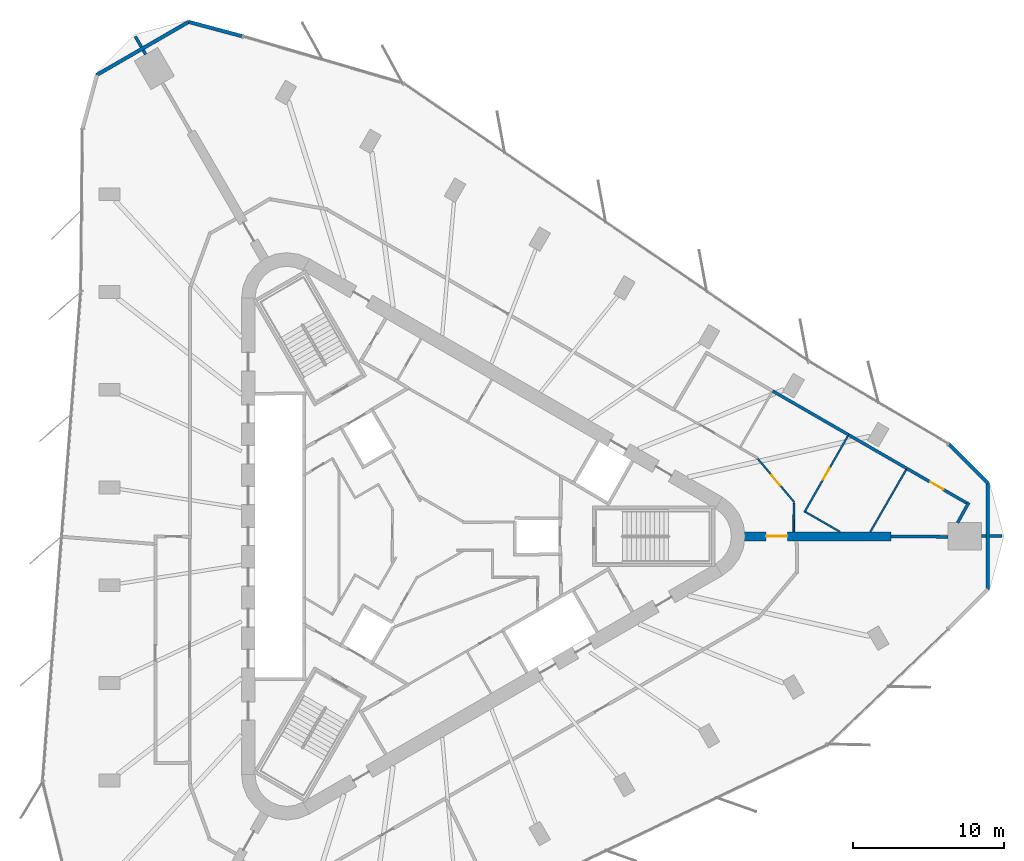
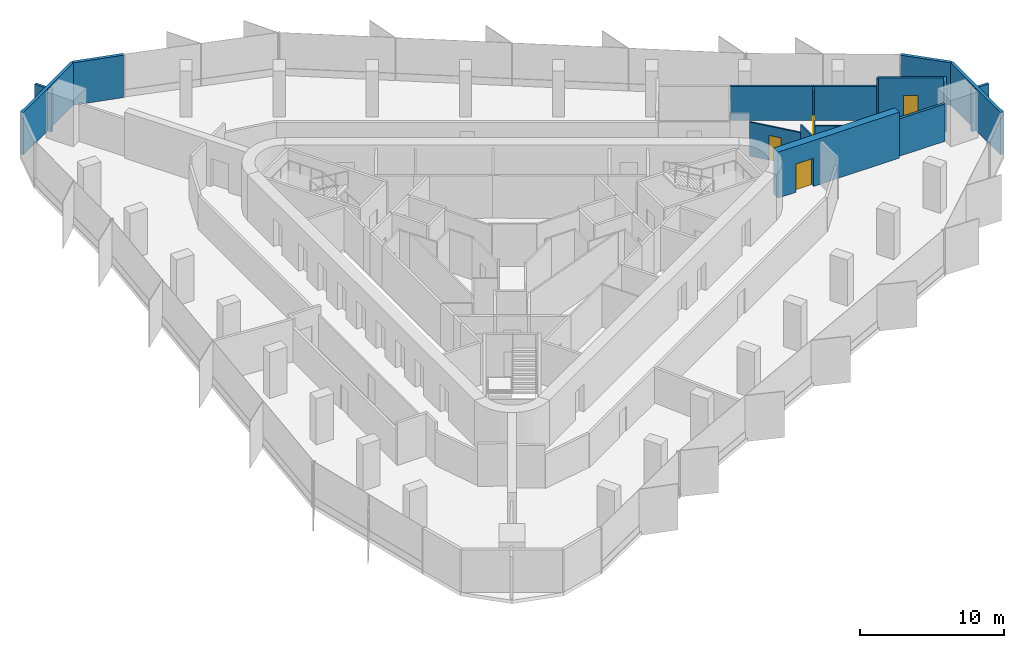
# One storey, part 12 of 14: 19 walls, 4 doors, 4 openings.
"""IFC4 building model written with IfcOpenShell, lengths in metres."""

import ifcopenshell
import ifcopenshell.guid

model = None  # the IFC model being written
_history = None  # IfcOwnerHistory: only IFC2X3 demands one
_inside = {}  # id of a spatial element -> (the spatial element, [elements in it])
_under = {}  # id of a project, library or spatial element -> (it, [spatial elements below it])
_declared = {}  # id of a project -> (the project, [libraries it declares])
_typed = {}  # id of a type object -> (the type object, [elements of that type])
_made_of = {}  # id of a material, layer set ... -> (it, [elements and type objects made of it])


def new_model(schema):
    """Start an empty IFC model of exactly this schema.

    Asked for "IFC4X3", IfcOpenShell would pick the latest addendum, in which some entities
    have other attributes; the version numbers below select the first issue.
    IFC2X3 requires an IfcOwnerHistory on every rooted entity: one is made here for all.
    """
    global model, _history
    if schema == "IFC4X3":
        model = ifcopenshell.file(schema_version=(4, 3, 0, 0))
    else:
        model = ifcopenshell.file(schema=schema)
    _inside.clear()
    _under.clear()
    _declared.clear()
    _typed.clear()
    _made_of.clear()
    _history = None
    if model.schema == "IFC2X3":
        org = make("IfcOrganization", Name="unknown")
        user = make(
            "IfcPersonAndOrganization",
            ThePerson=make("IfcPerson", FamilyName="unknown"),
            TheOrganization=org,
        )
        app = make(
            "IfcApplication",
            ApplicationDeveloper=org,
            Version="unknown",
            ApplicationFullName="unknown",
            ApplicationIdentifier="unknown",
        )
        _history = make(
            "IfcOwnerHistory",
            OwningUser=user,
            OwningApplication=app,
            ChangeAction="ADDED",
            CreationDate=0,
        )
    return model


def make(cls, **values):
    """One entity of the class cls with the attributes given. An attribute that is None is left unset."""
    return model.create_entity(
        cls, **{name: value for name, value in values.items() if value is not None}
    )


def rooted(cls, **values):
    """An entity with a GlobalId (a new one), such as an element, a storey or a relation."""
    return make(cls, GlobalId=ifcopenshell.guid.new(), OwnerHistory=_history, **values)


def si_unit(unit_type, name, prefix=None):
    """IfcSIUnit, for example si_unit("LENGTHUNIT", "METRE", prefix="MILLI")."""
    return make("IfcSIUnit", UnitType=unit_type, Prefix=prefix, Name=name)


def assignment(units):
    """IfcUnitAssignment: the units of a project."""
    return None if units is None else make("IfcUnitAssignment", Units=units)


def point(xyz):
    """IfcCartesianPoint."""
    return None if xyz is None else make("IfcCartesianPoint", Coordinates=xyz)


def direction(xyz):
    """IfcDirection."""
    return None if xyz is None else make("IfcDirection", DirectionRatios=xyz)


def frame(location, z_axis=None, x_axis=None):
    """IfcAxis2Placement3D, a coordinate frame: its origin and axes. An axis left out is left unset."""
    return make(
        "IfcAxis2Placement3D",
        Location=point(location),
        Axis=direction(z_axis),
        RefDirection=direction(x_axis),
    )


def frame_2d(location, x_axis=None):
    """IfcAxis2Placement2D, a coordinate frame in the plane: its origin and x axis."""
    return make(
        "IfcAxis2Placement2D", Location=point(location), RefDirection=direction(x_axis)
    )


def origin():
    """The frame at (0, 0, 0) with its axes left unset."""
    return frame((0.0, 0.0, 0.0))


def place(relative_to, where):
    """IfcLocalPlacement: puts the frame where relative to a parent placement (None: the world)."""
    return make(
        "IfcLocalPlacement", PlacementRelTo=relative_to, RelativePlacement=where
    )


def context(
    kind, dimensions, precision=None, world=None, true_north=None, identifier=None
):
    """IfcGeometricRepresentationContext, for example the 3D "Model" context."""
    return make(
        "IfcGeometricRepresentationContext",
        ContextIdentifier=identifier,
        ContextType=kind,
        CoordinateSpaceDimension=dimensions,
        Precision=precision,
        WorldCoordinateSystem=world,
        TrueNorth=true_north,
    )


def subcontext(parent, identifier, kind, view, scale=None):
    """IfcGeometricRepresentationSubContext, for example "Body" below "Model"."""
    return make(
        "IfcGeometricRepresentationSubContext",
        ContextIdentifier=identifier,
        ContextType=kind,
        ParentContext=parent,
        TargetScale=scale,
        TargetView=view,
    )


def project(units=None, contexts=None):
    """IfcProject with its units and contexts."""
    return rooted(
        "IfcProject",
        Name="project",
        RepresentationContexts=contexts,
        UnitsInContext=assignment(units),
    )


def spatial(cls, under=None, at=None, **own):
    """A site, building, storey or space (cls), placed at a placement, below another one or the project."""
    s = rooted(cls, ObjectPlacement=at, **own)
    if under is not None:
        _under.setdefault(under.id(), (under, []))[1].append(s)
    return s


def profile(cls, at=None, kind="AREA", **sizes):
    """A parametric profile (cls). Its sizes go by their IFC names, for example OverallWidth=200.0."""
    return make(cls, ProfileType=kind, Position=at, **sizes)


def rectangle(**sizes):
    """IfcRectangleProfileDef."""
    return profile("IfcRectangleProfileDef", **sizes)


def extrude(swept, where, along, depth):
    """IfcExtrudedAreaSolid: the profile swept, set in the frame where, extruded along a direction by depth."""
    return make(
        "IfcExtrudedAreaSolid",
        SweptArea=swept,
        Position=where,
        ExtrudedDirection=direction(along),
        Depth=depth,
    )


def shape(context_of_items, identifier, shape_type, items):
    """IfcShapeRepresentation: the items that make up one representation, for example the "Body"."""
    return make(
        "IfcShapeRepresentation",
        ContextOfItems=context_of_items,
        RepresentationIdentifier=identifier,
        RepresentationType=shape_type,
        Items=items,
    )


def material(Name=None, Category=None):
    """IfcMaterial."""
    return make("IfcMaterial", Name=Name, Category=Category)


def layer(
    of_material, thickness, ventilated=None, Name=None, Category=None, Priority=None
):
    """IfcMaterialLayer: one layer of a wall or slab, of a material (None: an air gap)."""
    return make(
        "IfcMaterialLayer",
        Material=of_material,
        LayerThickness=thickness,
        IsVentilated=ventilated,
        Name=Name,
        Category=Category,
        Priority=Priority,
    )


def layer_set(layers, Name=None):
    """IfcMaterialLayerSet."""
    return make("IfcMaterialLayerSet", MaterialLayers=layers, LayerSetName=Name)


def made_of(thing, what):
    """Note that an element or type object is made of a material, layer set ...; save() writes the relation."""
    if what is not None:
        _made_of.setdefault(what.id(), (what, []))[1].append(thing)
    return thing


def type_object(cls, material=None, **own):
    """A type object (cls), such as IfcWallType, which elements share."""
    return made_of(rooted(cls, **own), material)


def element(
    cls,
    number,
    at=None,
    inside=None,
    cuts=None,
    type_object=None,
    material=None,
    context=None,
    identifier="Body",
    shape_type=None,
    held_by="IfcProductDefinitionShape",
    body=None,
    shapes=None,
    **own,
):
    """One element of the class cls, such as IfcWall. Its Tag is "e" and its number.

    at: its placement. inside: the storey or other place that contains it. cuts: it is an
    opening in that element (IfcRelVoidsElement). A single representation is given by context,
    identifier, shape_type and body (its items); several are given by shapes. held_by: the class
    of the entity that holds the representations. save() writes the other relations.
    """
    e = rooted(cls, Tag="e%d" % number, ObjectPlacement=at, **own)
    if body is not None:
        shapes = [shape(context, identifier, shape_type, body)]
    if shapes is not None:
        e.Representation = make(held_by, Representations=shapes)
    if inside is not None:
        _inside.setdefault(inside.id(), (inside, []))[1].append(e)
    if cuts is not None:
        rooted(
            "IfcRelVoidsElement", RelatingBuildingElement=cuts, RelatedOpeningElement=e
        )
    if type_object is not None:
        _typed.setdefault(type_object.id(), (type_object, []))[1].append(e)
    return made_of(e, material)


def fill(opening, filler):
    """IfcRelFillsElement: the door or window that sits in an opening."""
    return rooted(
        "IfcRelFillsElement",
        RelatingOpeningElement=opening,
        RelatedBuildingElement=filler,
    )


def aggregate(whole, parts):
    """IfcRelAggregates: a whole, such as a stair, and the parts it consists of."""
    return rooted("IfcRelAggregates", RelatingObject=whole, RelatedObjects=parts)


def save(model, path):
    """Write the relations noted so far, then the file.

    IfcRelAggregates (storeys below a building ...), IfcRelContainedInSpatialStructure (elements
    in a storey), IfcRelDefinesByType, IfcRelAssociatesMaterial and IfcRelDeclares: one each for
    every whole, place, type object, material and project.
    """
    for whole, parts in _under.values():
        aggregate(whole, parts)
    for where, things in _inside.values():
        rooted(
            "IfcRelContainedInSpatialStructure",
            RelatedElements=things,
            RelatingStructure=where,
        )
    for kind, things in _typed.values():
        rooted("IfcRelDefinesByType", RelatedObjects=things, RelatingType=kind)
    for what, things in _made_of.values():
        rooted("IfcRelAssociatesMaterial", RelatedObjects=things, RelatingMaterial=what)
    for by, libraries in _declared.values():
        rooted("IfcRelDeclares", RelatingContext=by, RelatedDefinitions=libraries)
    model.write(path)


model = new_model("IFC4")

# Units and contexts
model_context = context("Model", 3, precision=1e-05, world=origin(), true_north=direction((0.0, 1.0)))
body_context = subcontext(model_context, "Body", "Model", "MODEL_VIEW")
ifc_project = project(units=[si_unit("LENGTHUNIT", "METRE"), si_unit("AREAUNIT", "SQUARE_METRE"), si_unit("VOLUMEUNIT", "CUBIC_METRE"), si_unit("PLANEANGLEUNIT", "RADIAN"), si_unit("MASSUNIT", "GRAM", prefix="KILO")], contexts=[model_context])

# Site, building, storey
site_placement = place(None, origin())
site = spatial("IfcSite", under=ifc_project, at=site_placement, CompositionType="ELEMENT")
building_placement = place(site_placement, origin())
building = spatial("IfcBuilding", under=site, at=building_placement, Name="Tanit Gate Tower", CompositionType="ELEMENT")
storey_placement = place(building_placement, frame((0.0, 0.0, 302.60009765625)))
storey = spatial("IfcBuildingStorey", under=building, at=storey_placement, Name="L67", CompositionType="ELEMENT", Elevation=302.60009765625)

# Wall, opening, door
ifc_material_1 = material(Name="Concrete C40/50", Category="concrete")
ifc_layer_1 = layer(ifc_material_1, 0.60009765625)
ifc_layer_set_1 = layer_set([ifc_layer_1], Name="BUTTRESS FIN 600 C40/50")
wall_type_1 = type_object("IfcWallType", Name="BUTTRESS FIN 600 C40/50", PredefinedType="SHEAR", material=ifc_layer_set_1)
wall_1_placement = place(storey_placement, frame((21.14990234375, 0.0, 0.0), z_axis=(0.0, 0.0, 1.0), x_axis=(1.0, 0.0, 0.0)))
wall_1 = element("IfcWall", 1, at=wall_1_placement, inside=storey, type_object=wall_type_1, Name="BUTTRESS FIN", PredefinedType="SHEAR", context=body_context, shape_type="SweptSolid", body=[
    extrude(rectangle(XDim=9.72021484375, YDim=0.60009765625, at=frame_2d((4.860107421875, 0.0))), origin(), (0.0, 0.0, 1.0), 3.89990234375),
])
opening_1_placement = place(wall_1_placement, frame((1.449951171875, 0.0, 0.0)))
opening_1 = element("IfcOpeningElement", 2, at=opening_1_placement, cuts=wall_1, Name="Opening P14-S18-F-E-1", PredefinedType="OPENING", context=body_context, shape_type="SweptSolid", body=[
    extrude(rectangle(XDim=1.39990234375, YDim=2.39990234375, at=frame_2d((0.699951171875, 1.199951171875))), frame((0.0, 0.31005859375, 0.0), z_axis=(0.0, -1.0, 0.0), x_axis=(1.0, 0.0, 0.0)), (0.0, 0.0, 1.0), 0.6201171875),
])
ifc_material_2 = material(Name="Timber door leaf", Category="wood")
door_type_1 = type_object("IfcDoorType", Name="INT-DOOR-FIN-PAIR-1400", OperationType="NOTDEFINED", PredefinedType="NOTDEFINED", material=ifc_material_2)
door_1_placement = place(opening_1_placement, origin())
door_1 = element("IfcDoor", 3, at=door_1_placement, inside=storey, type_object=door_type_1, Name="Door P14-S18-F-E-1", OperationType="DOUBLE_DOOR_SINGLE_SWING", OverallHeight=2.39990234375, OverallWidth=1.39990234375, PredefinedType="NOTDEFINED", context=body_context, shape_type="SweptSolid", body=[
    extrude(rectangle(XDim=1.39990234375, YDim=2.39990234375, at=frame_2d((0.699951171875, 1.199951171875))), frame((0.0, 0.02490234375, 0.0), z_axis=(0.0, -1.0, 0.0), x_axis=(1.0, 0.0, 0.0)), (0.0, 0.0, 1.0), 0.050048828125),
])
fill(opening_1, door_1)

# Walls
ifc_material_3 = material(Name="Concrete C30/37 with bronze anodised aluminium cladding", Category="concrete")
ifc_layer_2 = layer(ifc_material_3, 0.239990234375)
ifc_layer_set_2 = layer_set([ifc_layer_2], Name="Facade wall bronze clad 240")
wall_type_2 = type_object("IfcWallType", Name="Facade wall bronze clad 240", PredefinedType="SOLIDWALL", material=ifc_layer_set_2)
wall_2_placement = place(storey_placement, frame((-12.057373046875, 33.079833984375, 0.0), z_axis=(0.0, 0.0, 1.0), x_axis=(-0.965923355737, 0.258828265153, 0.0)))
element("IfcWall", 4, at=wall_2_placement, inside=storey, type_object=wall_type_2, Name="Bronze-clad facade wall L67 NW.arc1", PredefinedType="SOLIDWALL", context=body_context, shape_type="SweptSolid", body=[
    extrude(rectangle(XDim=3.66259765625, YDim=0.239990234375, at=frame_2d((1.831298828125, 0.0))), origin(), (0.0, 0.0, 1.0), 3.599853515625),
])
for number, where, z_axis, x_axis, name in (
    (5, (-15.59521484375, 34.02783203125, 0.0), (0.0, 0.0, 1.0), (-0.866026812589, -0.499997559872, 0.0), "Bronze-clad facade wall L67 NW.arc2"),
    (6, (37.2666015625, -3.508056640625, 0.0), (0.0, 0.0, 1.0), (0.0, 1.0, 0.0), "Bronze-clad facade wall L67 E.arc2"),
):
    element("IfcWall", number, at=place(storey_placement, frame(where, z_axis=z_axis, x_axis=x_axis)), inside=storey, type_object=wall_type_2, Name=name, PredefinedType="SOLIDWALL", context=body_context, shape_type="SweptSolid", body=[
        extrude(rectangle(XDim=7.01611328125, YDim=0.239990234375, at=frame_2d((3.508056640625, 0.0))), origin(), (0.0, 0.0, 1.0), 3.599853515625),
    ])
wall_3_placement = place(storey_placement, frame((37.2666015625, 3.508056640625, 0.0), z_axis=(0.0, 0.0, 1.0), x_axis=(-0.707106781187, 0.707106781187, 0.0)))
element("IfcWall", 7, at=wall_3_placement, inside=storey, type_object=wall_type_2, Name="Bronze-clad facade wall L67 E.arc3", PredefinedType="SOLIDWALL", context=body_context, shape_type="SweptSolid", body=[
    extrude(rectangle(XDim=3.648681640625, YDim=0.239990234375, at=frame_2d((1.82421875, 0.0))), origin(), (0.0, 0.0, 1.0), 3.599853515625),
])
ifc_material_4 = material(Name="Fire-rated gypsum board partition")
ifc_layer_3 = layer(ifc_material_4, 0.199951171875)
ifc_layer_set_3 = layer_set([ifc_layer_3], Name="INT-WALL-COMPARTMENT")
wall_type_3 = type_object("IfcWallType", Name="INT-WALL-COMPARTMENT", PredefinedType="PARTITIONING", material=ifc_layer_set_3)
wall_4_placement = place(storey_placement, frame((-19.125244140625, 33.06591796875, 0.0), z_axis=(0.0, 0.0, 1.0), x_axis=(0.500052144805, -0.865995295874, 0.0)))
element("IfcWall", 8, at=wall_4_placement, inside=storey, type_object=wall_type_3, Name="Wall Compartment W115", PredefinedType="PARTITIONING", context=body_context, shape_type="SweptSolid", body=[
    extrude(rectangle(XDim=0.81201171875, YDim=0.199951171875, at=frame_2d((0.406005859375, 0.0))), origin(), (0.0, 0.0, 1.0), 3.599853515625),
])
for number, where, z_axis, x_axis, name in (
    (9, (-18.599365234375, 32.15478515625, 0.0), (0.0, 0.0, 1.0), (0.500213193091, -0.865902281703, 0.0), "Wall Compartment W115x1"),
    (10, (36.830810546875, 0.030029296875, 0.0), (0.0, 0.0, 1.0), (1.0, 0.0, 0.0), "Wall Compartment W117"),
):
    element("IfcWall", number, at=place(storey_placement, frame(where, z_axis=z_axis, x_axis=x_axis)), inside=storey, type_object=wall_type_3, Name=name, PredefinedType="PARTITIONING", context=body_context, shape_type="SweptSolid", body=[
        extrude(rectangle(XDim=0.315673828125, YDim=0.199951171875, at=frame_2d((0.15771484375, 0.0))), origin(), (0.0, 0.0, 1.0), 3.599853515625),
    ])
wall_5_placement = place(storey_placement, frame((37.386474609375, 0.030029296875, 0.0), z_axis=(0.0, 0.0, 1.0), x_axis=(1.0, 0.0, 0.0)))
element("IfcWall", 11, at=wall_5_placement, inside=storey, type_object=wall_type_3, Name="Wall Compartment W117x1", PredefinedType="PARTITIONING", context=body_context, shape_type="SweptSolid", body=[
    extrude(rectangle(XDim=0.81201171875, YDim=0.199951171875, at=frame_2d((0.406005859375, 0.0))), origin(), (0.0, 0.0, 1.0), 3.599853515625),
])

# Wall, opening, door
wall_6_placement = place(storey_placement, frame((35.8662109375, 2.201904296875, 0.0), z_axis=(0.0, 0.0, 1.0), x_axis=(-0.866027379035, 0.49999657875, 0.0)))
wall_6 = element("IfcWall", 12, at=wall_6_placement, inside=storey, type_object=wall_type_3, Name="Wall Compartment W123", PredefinedType="PARTITIONING", context=body_context, shape_type="SweptSolid", body=[
    extrude(rectangle(XDim=4.57421875, YDim=0.199951171875, at=frame_2d((2.287109375, 0.0))), origin(), (0.0, 0.0, 1.0), 3.599853515625),
])
opening_2_placement = place(wall_6_placement, frame((1.787109375, 0.0, 0.0)))
opening_2 = element("IfcOpeningElement", 13, at=opening_2_placement, cuts=wall_6, Name="Opening F10-S18-25", PredefinedType="OPENING", context=body_context, shape_type="SweptSolid", body=[
    extrude(rectangle(XDim=1.0, YDim=2.10009765625, at=frame_2d((0.5, 1.050048828125))), frame((0.0, 0.10986328125, 0.0), z_axis=(0.0, -1.0, 0.0), x_axis=(1.0, 0.0, 0.0)), (0.0, 0.0, 1.0), 0.219970703125),
])
ifc_material_5 = material(Name="Fire-rated steel door leaf", Category="steel")
door_type_2 = type_object("IfcDoorType", Name="INT-DOOR-FIRE-1000", OperationType="NOTDEFINED", PredefinedType="USERDEFINED", material=ifc_material_5)
door_2_placement = place(opening_2_placement, origin())
door_2 = element("IfcDoor", 14, at=door_2_placement, inside=storey, type_object=door_type_2, Name="Door F10-S18-25", ObjectType="FIRE DOOR", OperationType="SINGLE_SWING_RIGHT", OverallHeight=2.10009765625, OverallWidth=1.0, PredefinedType="USERDEFINED", context=body_context, shape_type="SweptSolid", body=[
    extrude(rectangle(XDim=1.0, YDim=2.10009765625, at=frame_2d((0.5, 1.050048828125))), frame((0.0, 0.02490234375, 0.0), z_axis=(0.0, -1.0, 0.0), x_axis=(1.0, 0.0, 0.0)), (0.0, 0.0, 1.0), 0.050048828125),
])
fill(opening_2, door_2)

# Walls
wall_7_placement = place(storey_placement, frame((31.90478515625, 4.489013671875, 0.0), z_axis=(0.0, 0.0, 1.0), x_axis=(-0.866013897511, 0.50001992892, 0.0)))
element("IfcWall", 15, at=wall_7_placement, inside=storey, type_object=wall_type_3, Name="Wall Compartment W121", PredefinedType="PARTITIONING", context=body_context, shape_type="SweptSolid", body=[
    extrude(rectangle(XDim=4.451904296875, YDim=0.199951171875, at=frame_2d((2.22607421875, 0.0))), origin(), (0.0, 0.0, 1.0), 2.8798828125),
])
wall_8_placement = place(storey_placement, frame((28.04931640625, 6.715087890625, 0.0), z_axis=(0.0, 0.0, 1.0), x_axis=(-0.866036157057, 0.499981374323, 0.0)))
element("IfcWall", 16, at=wall_8_placement, inside=storey, type_object=wall_type_3, Name="Wall Compartment W120", PredefinedType="PARTITIONING", context=body_context, shape_type="SweptSolid", body=[
    extrude(rectangle(XDim=5.795166015625, YDim=0.199951171875, at=frame_2d((2.8974609375, 0.0))), origin(), (0.0, 0.0, 1.0), 2.8798828125),
])
wall_9_placement = place(storey_placement, frame((35.2646484375, 0.89990234375, 0.0), z_axis=(0.0, 0.0, 1.0), x_axis=(0.48169188717, 0.876340644861, 0.0)))
element("IfcWall", 17, at=wall_9_placement, inside=storey, type_object=wall_type_3, Name="Wall Compartment W122", PredefinedType="PARTITIONING", context=body_context, shape_type="SweptSolid", body=[
    extrude(rectangle(XDim=1.528564453125, YDim=0.199951171875, at=frame_2d((0.76416015625, 0.0))), origin(), (0.0, 0.0, 1.0), 3.599853515625),
])
wall_10_placement = place(storey_placement, frame((34.630615234375, -0.030029296875, 0.0), z_axis=(0.0, 0.0, 1.0), x_axis=(-0.999984049016, 0.005648160246, 0.0)))
element("IfcWall", 18, at=wall_10_placement, inside=storey, type_object=wall_type_3, Name="Wall Compartment W125", PredefinedType="PARTITIONING", context=body_context, shape_type="SweptSolid", body=[
    extrude(rectangle(XDim=3.760498046875, YDim=0.199951171875, at=frame_2d((1.88037109375, 0.0))), origin(), (0.0, 0.0, 1.0), 3.169921875),
])

# Wall, opening, door
ifc_material_6 = material(Name="Gypsum board partition")
ifc_layer_4 = layer(ifc_material_6, 0.1201171875)
ifc_layer_set_4 = layer_set([ifc_layer_4], Name="INT-WALL-PARTITION")
wall_type_4 = type_object("IfcWallType", Name="INT-WALL-PARTITION", PredefinedType="PARTITIONING", material=ifc_layer_set_4)
wall_11_placement = place(storey_placement, frame((24.46044921875, 2.25634765625, 0.0), z_axis=(0.0, 0.0, 1.0), x_axis=(-0.642780730877, 0.766050215073, 0.0)))
wall_11 = element("IfcWall", 19, at=wall_11_placement, inside=storey, type_object=wall_type_4, Name="Wall Partition W104", PredefinedType="PARTITIONING", context=body_context, shape_type="SweptSolid", body=[
    extrude(rectangle(XDim=3.786865234375, YDim=0.1201171875, at=frame_2d((1.8935546875, 0.0))), origin(), (0.0, 0.0, 1.0), 2.8798828125),
])
opening_3_placement = place(wall_11_placement, frame((1.45458984375, 0.0, 0.0)))
opening_3 = element("IfcOpeningElement", 20, at=opening_3_placement, cuts=wall_11, Name="Opening D09-S18-23", PredefinedType="OPENING", context=body_context, shape_type="SweptSolid", body=[
    extrude(rectangle(XDim=0.89990234375, YDim=2.10009765625, at=frame_2d((0.449951171875, 1.050048828125))), frame((0.0, 0.070068359375, 0.0), z_axis=(0.0, -1.0, 0.0), x_axis=(1.0, 0.0, 0.0)), (0.0, 0.0, 1.0), 0.14013671875),
])
ifc_material_7 = material(Name="Timber door leaf", Category="wood")
door_type_3 = type_object("IfcDoorType", Name="INT-DOOR-SINGLE-900", OperationType="NOTDEFINED", PredefinedType="NOTDEFINED", material=ifc_material_7)
door_3_placement = place(opening_3_placement, origin())
door_3 = element("IfcDoor", 21, at=door_3_placement, inside=storey, type_object=door_type_3, Name="Door D09-S18-23", OperationType="SINGLE_SWING_RIGHT", OverallHeight=2.10009765625, OverallWidth=0.89990234375, PredefinedType="NOTDEFINED", context=body_context, shape_type="SweptSolid", body=[
    extrude(rectangle(XDim=0.89990234375, YDim=2.10009765625, at=frame_2d((0.449951171875, 1.050048828125))), frame((0.0, 0.02490234375, 0.0), z_axis=(0.0, -1.0, 0.0), x_axis=(1.0, 0.0, 0.0)), (0.0, 0.0, 1.0), 0.050048828125),
])
fill(opening_3, door_3)

# Wall
wall_12_placement = place(storey_placement, frame((24.420166015625, 0.300048828125, 0.0), z_axis=(0.0, 0.0, 1.0), x_axis=(0.013233562751, 0.999912432574, 0.0)))
element("IfcWall", 22, at=wall_12_placement, inside=storey, type_object=wall_type_4, Name="Wall Partition W105", PredefinedType="PARTITIONING", context=body_context, shape_type="SweptSolid", body=[
    extrude(rectangle(XDim=1.8818359375, YDim=0.1201171875, at=frame_2d((0.94091796875, 0.0))), origin(), (0.0, 0.0, 1.0), 3.599853515625),
])

# Wall, opening, door
wall_13_placement = place(storey_placement, frame((25.12548828125, 1.59033203125, 0.0), z_axis=(0.0, 0.0, 1.0), x_axis=(0.495554064977, 0.868577094267, 0.0)))
wall_13 = element("IfcWall", 23, at=wall_13_placement, inside=storey, type_object=wall_type_4, Name="Wall Partition W127", PredefinedType="PARTITIONING", context=body_context, shape_type="SweptSolid", body=[
    extrude(rectangle(XDim=5.800048828125, YDim=0.1201171875, at=frame_2d((2.89990234375, 0.0))), origin(), (0.0, 0.0, 1.0), 2.8798828125),
])
opening_4_placement = place(wall_13_placement, frame((2.47998046875, 0.0, 0.0)))
opening_4 = element("IfcOpeningElement", 24, at=opening_4_placement, cuts=wall_13, Name="Opening D09-S18-24", PredefinedType="OPENING", context=body_context, shape_type="SweptSolid", body=[
    extrude(rectangle(XDim=0.89990234375, YDim=2.10009765625, at=frame_2d((0.449951171875, 1.050048828125))), frame((0.0, 0.070068359375, 0.0), z_axis=(0.0, -1.0, 0.0), x_axis=(1.0, 0.0, 0.0)), (0.0, 0.0, 1.0), 0.14013671875),
])
door_4_placement = place(opening_4_placement, origin())
door_4 = element("IfcDoor", 25, at=door_4_placement, inside=storey, type_object=door_type_3, Name="Door D09-S18-24", OperationType="SINGLE_SWING_RIGHT", OverallHeight=2.10009765625, OverallWidth=0.89990234375, PredefinedType="NOTDEFINED", context=body_context, shape_type="SweptSolid", body=[
    extrude(rectangle(XDim=0.89990234375, YDim=2.10009765625, at=frame_2d((0.449951171875, 1.050048828125))), frame((0.0, 0.02490234375, 0.0), z_axis=(0.0, -1.0, 0.0), x_axis=(1.0, 0.0, 0.0)), (0.0, 0.0, 1.0), 0.050048828125),
])
fill(opening_4, door_4)

# Walls
wall_14_placement = place(storey_placement, frame((25.207275390625, 1.612548828125, 0.0), z_axis=(0.0, 0.0, 1.0), x_axis=(0.866013657776, -0.500020344131, 0.0)))
element("IfcWall", 26, at=wall_14_placement, inside=storey, type_object=wall_type_4, Name="Wall Partition W128", PredefinedType="PARTITIONING", context=body_context, shape_type="SweptSolid", body=[
    extrude(rectangle(XDim=2.625, YDim=0.1201171875, at=frame_2d((1.3125, 0.0))), origin(), (0.0, 0.0, 1.0), 3.599853515625),
])
wall_15_placement = place(storey_placement, frame((29.49072265625, 0.300048828125, 0.0), z_axis=(0.0, 0.0, 1.0), x_axis=(0.499334051335, 0.86640954818, 0.0)))
element("IfcWall", 27, at=wall_15_placement, inside=storey, type_object=wall_type_4, Name="Wall Partition W129", PredefinedType="PARTITIONING", context=body_context, shape_type="SweptSolid", body=[
    extrude(rectangle(XDim=4.73486328125, YDim=0.1201171875, at=frame_2d((2.367431640625, 0.0))), origin(), (0.0, 0.0, 1.0), 3.599853515625),
])

save(model, "model.ifc")
